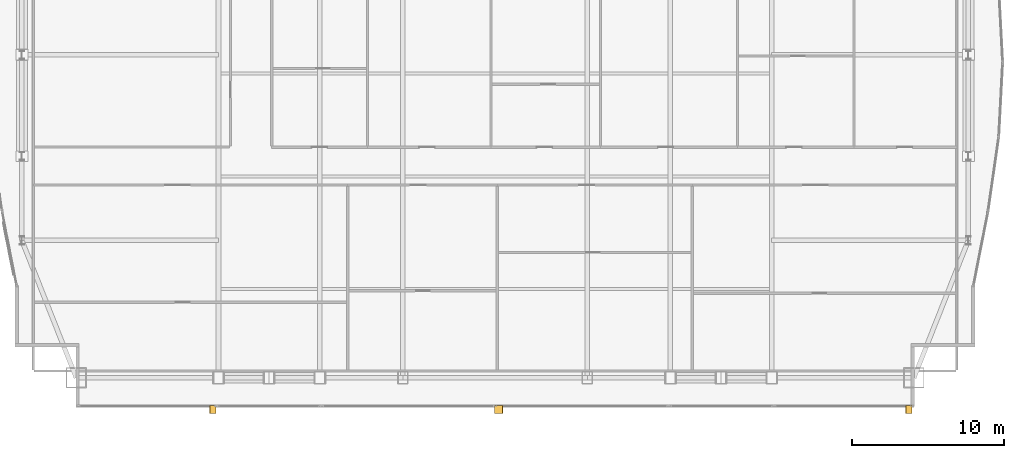
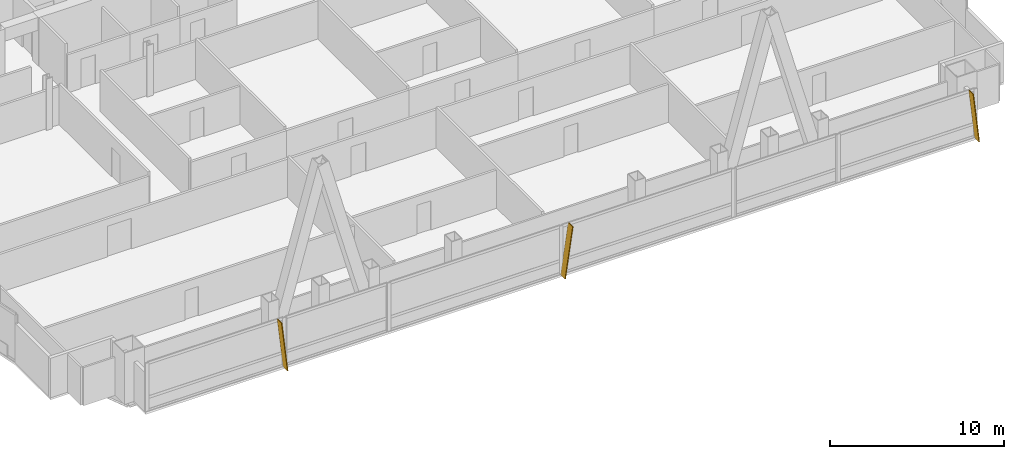
# One storey, part 30 of 31: 3 shading devices.
"""IFC4 building model written with IfcOpenShell, lengths in metres."""

from ifc_helpers import new_model, si_unit, direction, frame, origin, place, context, subcontext, project, spatial, polyline, outline, extrude, material, layer, layer_set, type_object, element, save


model = new_model("IFC4")

# Units and contexts
model_context = context("Model", 3, precision=1e-05, world=origin(), true_north=direction((0.0, 1.0)))
body_context = subcontext(model_context, "Body", "Model", "MODEL_VIEW")
ifc_project = project(units=[si_unit("LENGTHUNIT", "METRE"), si_unit("AREAUNIT", "SQUARE_METRE"), si_unit("VOLUMEUNIT", "CUBIC_METRE"), si_unit("PLANEANGLEUNIT", "RADIAN"), si_unit("MASSUNIT", "GRAM", prefix="KILO")], contexts=[model_context])

# Site, building, storey
site_placement = place(None, origin())
site = spatial("IfcSite", under=ifc_project, at=site_placement, CompositionType="ELEMENT")
building_placement = place(site_placement, origin())
building = spatial("IfcBuilding", under=site, at=building_placement, Name="Khoronbel Lancet Exchange", CompositionType="ELEMENT")
storey_placement = place(building_placement, frame((0.0, 0.0, 168.60009765625)))
storey = spatial("IfcBuildingStorey", under=building, at=storey_placement, Name="L42", CompositionType="ELEMENT", Elevation=168.60009765625)

# Shading devices
ifc_material = material(Name="Bronze-Anodised Aluminium 6063-T6", Category="aluminium")
ifc_layer = layer(ifc_material, 0.054931640625, Name="Bronze-Anodised Aluminium 6063-T6")
ifc_layer_set = layer_set([ifc_layer], Name="Bronze-Anodised Aluminium 6063-T6")
shading_device_type = type_object("IfcShadingDeviceType", Name="SHD-FIN1", PredefinedType="USERDEFINED", material=ifc_layer_set)
shading_device_1_placement = place(storey_placement, frame((18.072509765625, 8.31005859375, -0.080078125), z_axis=(0.993691210277, 0.0, 0.112150696026), x_axis=(0.0, -1.0, 0.0)))
element("IfcShadingDevice", 1, at=shading_device_1_placement, inside=storey, type_object=shading_device_type, Name="Slanted bronze solar fin CW-L42-SWV-1", ObjectType="FIN", PredefinedType="USERDEFINED", context=body_context, shape_type="SweptSolid", body=[
    extrude(outline(polyline([(0.0, 0.0), (0.52001953125, 0.0), (0.52001953125, -3.522216796875), (0.0, -3.522216796875), (0.0, 0.0)])), origin(), (0.0, 0.0, -1.0), 0.054931640625),
])
shading_device_2_placement = place(storey_placement, frame((36.422607421875, 8.31005859375, -0.080078125), z_axis=(-0.989755257242, 0.0, 0.142774405132), x_axis=(0.0, -1.0, 0.0)))
element("IfcShadingDevice", 2, at=shading_device_2_placement, inside=storey, type_object=shading_device_type, Name="Slanted bronze solar fin CW-L42-SCV-1", ObjectType="FIN", PredefinedType="USERDEFINED", context=body_context, shape_type="SweptSolid", body=[
    extrude(outline(polyline([(0.0, 0.0), (0.52001953125, 0.0), (0.52001953125, 3.5361328125), (0.0, 3.5361328125), (0.0, 0.0)])), origin(), (0.0, 0.0, -1.0), 0.054931640625),
])
shading_device_3_placement = place(storey_placement, frame((63.9326171875, 8.31005859375, -0.080078125), z_axis=(0.993691210277, 0.0, 0.112150696026), x_axis=(0.0, -1.0, 0.0)))
element("IfcShadingDevice", 3, at=shading_device_3_placement, inside=storey, type_object=shading_device_type, Name="Slanted bronze solar fin CW-L42-SEV-1", ObjectType="FIN", PredefinedType="USERDEFINED", context=body_context, shape_type="SweptSolid", body=[
    extrude(outline(polyline([(0.0, 0.0), (0.52001953125, 0.0), (0.52001953125, -3.522216796875), (0.0, -3.522216796875), (0.0, 0.0)])), origin(), (0.0, 0.0, -1.0), 0.054931640625),
])

save(model, "model.ifc")
